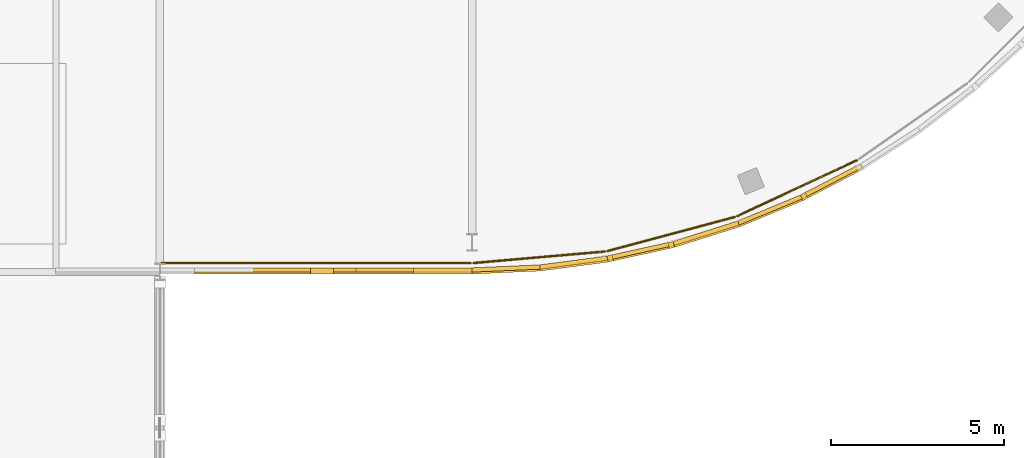
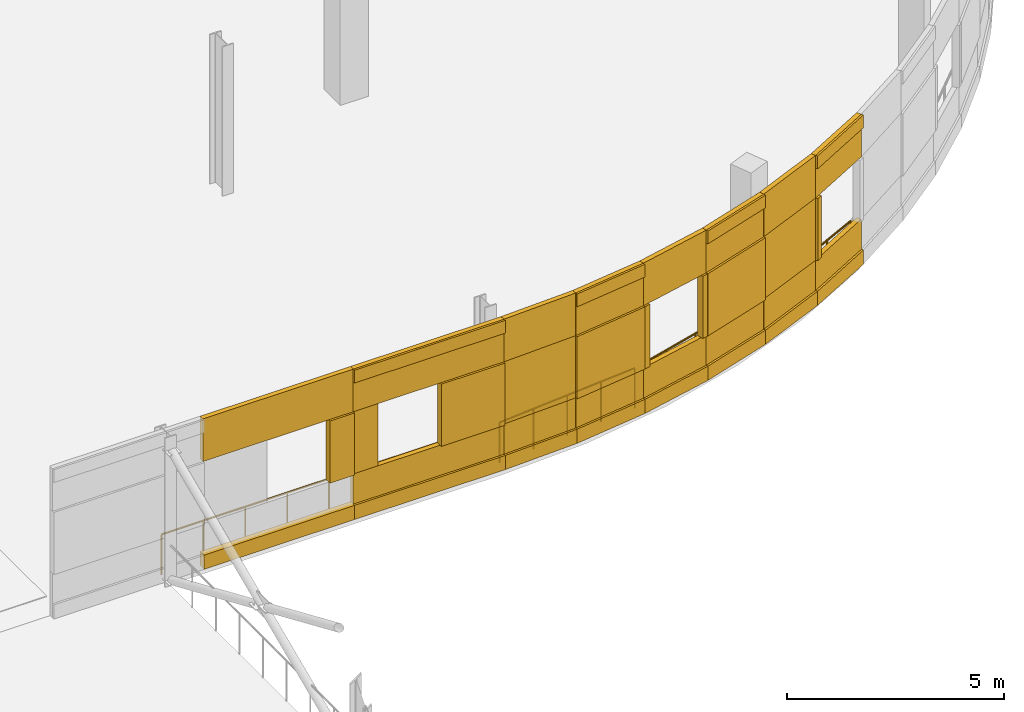
# One storey, part 128 of 135: 37 coverings, 4 railings.
"""IFC4 building model written with IfcOpenShell, lengths in metres."""

from ifc_helpers import new_model, si_unit, direction, frame, origin, origin_2d, place, context, subcontext, project, spatial, rectangle, circle, extrude, material, layer, layer_set, type_object, element, save


model = new_model("IFC4")

# Units and contexts
model_context = context("Model", 3, precision=1e-05, world=origin(), true_north=direction((0.0, 1.0)))
body_context = subcontext(model_context, "Body", "Model", "MODEL_VIEW")
ifc_project = project(units=[si_unit("LENGTHUNIT", "METRE"), si_unit("AREAUNIT", "SQUARE_METRE"), si_unit("VOLUMEUNIT", "CUBIC_METRE"), si_unit("PLANEANGLEUNIT", "RADIAN"), si_unit("MASSUNIT", "GRAM", prefix="KILO")], contexts=[model_context])

# Site, building, storey
site_placement = place(None, origin())
site = spatial("IfcSite", under=ifc_project, at=site_placement, CompositionType="ELEMENT")
building_placement = place(site_placement, origin())
building = spatial("IfcBuilding", under=site, at=building_placement, Name="Deido Ridge Mobility Hub", CompositionType="ELEMENT")
storey_placement = place(building_placement, frame((0.0, 0.0, 4.199951171875)))
storey = spatial("IfcBuildingStorey", under=building, at=storey_placement, Name="L01", CompositionType="ELEMENT", Elevation=4.199951171875)

# Coverings
ifc_material_1 = material(Name="Fired clay brick masonry", Category="masonry")
ifc_layer = layer(ifc_material_1, 0.114990234375, Name="Fired clay brick masonry")
ifc_layer_set = layer_set([ifc_layer], Name="Fired clay brick masonry")
covering_type = type_object("IfcCoveringType", Name="COV-BRK-SCREEN-115", PredefinedType="CLADDING", material=ifc_layer_set)
covering_1_placement = place(storey_placement, frame((117.978271484375, 81.09521484375, 0.0), z_axis=(0.0, 0.0, 1.0), x_axis=(0.999048982732, 0.043601950678, 0.0)))
element("IfcCovering", 1, at=covering_1_placement, inside=storey, type_object=covering_type, Name="Open brickwork spandrel course BKS1 (L01)", PredefinedType="CLADDING", context=body_context, shape_type="SweptSolid", body=[
    extrude(rectangle(XDim=1.9619140625, YDim=0.125, at=origin_2d()), origin(), (0.0, 0.0, 1.0), 1.25),
])
covering_2_placement = place(storey_placement, frame((117.9794921875, 81.067626953125, 0.0), z_axis=(0.0, 0.0, 1.0), x_axis=(0.999048982732, 0.043601950678, 0.0)))
element("IfcCovering", 2, at=covering_2_placement, inside=storey, type_object=covering_type, Name="Raised brick relief belt BKS1 (L01)", PredefinedType="CLADDING", context=body_context, shape_type="SweptSolid", body=[
    extrude(rectangle(XDim=1.9619140625, YDim=0.179931640625, at=origin_2d()), origin(), (0.0, 0.0, 1.0), 0.39990234375),
])
covering_3_placement = place(storey_placement, frame((117.978271484375, 81.09521484375, 3.0), z_axis=(0.0, 0.0, 1.0), x_axis=(0.999048982732, 0.043601950678, 0.0)))
element("IfcCovering", 3, at=covering_3_placement, inside=storey, type_object=covering_type, Name="Open brickwork lintel course BKS1 (L01)", PredefinedType="CLADDING", context=body_context, shape_type="SweptSolid", body=[
    extrude(rectangle(XDim=1.9619140625, YDim=0.125, at=origin_2d()), origin(), (0.0, 0.0, 1.0), 1.199951171875),
])
covering_4_placement = place(storey_placement, frame((117.978271484375, 81.09521484375, 1.25), z_axis=(0.0, 0.0, 1.0), x_axis=(0.999048982732, 0.043601950678, 0.0)))
element("IfcCovering", 4, at=covering_4_placement, inside=storey, type_object=covering_type, Name="Curved raised brickwork pier BKS1 (L01)", PredefinedType="CLADDING", context=body_context, shape_type="SweptSolid", body=[
    extrude(rectangle(XDim=1.9619140625, YDim=0.125, at=origin_2d()), origin(), (0.0, 0.0, 1.0), 1.75),
])
covering_5_placement = place(storey_placement, frame((119.92724609375, 81.265625, 0.0), z_axis=(0.0, 0.0, 1.0), x_axis=(0.991442583111, 0.130543496177, 0.0)))
element("IfcCovering", 5, at=covering_5_placement, inside=storey, type_object=covering_type, Name="Open brickwork spandrel course BKS1 (L01)", PredefinedType="CLADDING", context=body_context, shape_type="SweptSolid", body=[
    extrude(rectangle(XDim=1.9619140625, YDim=0.125, at=origin_2d()), origin(), (0.0, 0.0, 1.0), 1.25),
])
covering_6_placement = place(storey_placement, frame((119.930908203125, 81.23828125, 0.0), z_axis=(0.0, 0.0, 1.0), x_axis=(0.991442583111, 0.130543496177, 0.0)))
element("IfcCovering", 6, at=covering_6_placement, inside=storey, type_object=covering_type, Name="Raised brick relief belt BKS1 (L01)", PredefinedType="CLADDING", context=body_context, shape_type="SweptSolid", body=[
    extrude(rectangle(XDim=1.9619140625, YDim=0.179931640625, at=origin_2d()), origin(), (0.0, 0.0, 1.0), 0.39990234375),
])
covering_7_placement = place(storey_placement, frame((119.92724609375, 81.265625, 3.0), z_axis=(0.0, 0.0, 1.0), x_axis=(0.991442583111, 0.130543496177, 0.0)))
element("IfcCovering", 7, at=covering_7_placement, inside=storey, type_object=covering_type, Name="Open brickwork lintel course BKS1 (L01)", PredefinedType="CLADDING", context=body_context, shape_type="SweptSolid", body=[
    extrude(rectangle(XDim=1.9619140625, YDim=0.125, at=origin_2d()), origin(), (0.0, 0.0, 1.0), 1.199951171875),
])
covering_8_placement = place(storey_placement, frame((119.930908203125, 81.23828125, 3.83984375), z_axis=(0.0, 0.0, 1.0), x_axis=(0.991442583111, 0.130543496177, 0.0)))
element("IfcCovering", 8, at=covering_8_placement, inside=storey, type_object=covering_type, Name="Raised brick relief cornice BKS1 (L01)", PredefinedType="CLADDING", context=body_context, shape_type="SweptSolid", body=[
    extrude(rectangle(XDim=1.9619140625, YDim=0.179931640625, at=origin_2d()), origin(), (0.0, 0.0, 1.0), 0.360107421875),
])
covering_9_placement = place(storey_placement, frame((119.930908203125, 81.23828125, 1.25), z_axis=(0.0, 0.0, 1.0), x_axis=(0.991442583111, 0.130543496177, 0.0)))
element("IfcCovering", 9, at=covering_9_placement, inside=storey, type_object=covering_type, Name="Curved raised brickwork pier BKS1 (L01)", PredefinedType="CLADDING", context=body_context, shape_type="SweptSolid", body=[
    extrude(rectangle(XDim=1.9619140625, YDim=0.179931640625, at=origin_2d()), origin(), (0.0, 0.0, 1.0), 1.75),
])
covering_10_placement = place(storey_placement, frame((121.85400390625, 81.60546875, 0.0), z_axis=(0.0, 0.0, 1.0), x_axis=(0.976292229387, 0.216456653485, 0.0)))
element("IfcCovering", 10, at=covering_10_placement, inside=storey, type_object=covering_type, Name="Open brickwork spandrel course BKS1 (L01)", PredefinedType="CLADDING", context=body_context, shape_type="SweptSolid", body=[
    extrude(rectangle(XDim=1.9619140625, YDim=0.125, at=origin_2d()), origin(), (0.0, 0.0, 1.0), 1.25),
])
covering_11_placement = place(storey_placement, frame((121.85986328125, 81.57861328125, 0.0), z_axis=(0.0, 0.0, 1.0), x_axis=(0.976292229387, 0.216456653485, 0.0)))
element("IfcCovering", 11, at=covering_11_placement, inside=storey, type_object=covering_type, Name="Raised brick relief belt BKS1 (L01)", PredefinedType="CLADDING", context=body_context, shape_type="SweptSolid", body=[
    extrude(rectangle(XDim=1.9619140625, YDim=0.179931640625, at=origin_2d()), origin(), (0.0, 0.0, 1.0), 0.39990234375),
])
covering_12_placement = place(storey_placement, frame((121.85400390625, 81.60546875, 3.0), z_axis=(0.0, 0.0, 1.0), x_axis=(0.976292229387, 0.216456653485, 0.0)))
element("IfcCovering", 12, at=covering_12_placement, inside=storey, type_object=covering_type, Name="Open brickwork lintel course BKS1 (L01)", PredefinedType="CLADDING", context=body_context, shape_type="SweptSolid", body=[
    extrude(rectangle(XDim=1.9619140625, YDim=0.125, at=origin_2d()), origin(), (0.0, 0.0, 1.0), 1.199951171875),
])
for number, where, z_axis, x_axis, name in (
    (13, (120.980224609375, 81.383544921875, 1.25), (0.0, 0.0, 1.0), (0.976292229387, 0.216456653485, 0.0), "Curved brick jamb nib BKS1 (L01)"),
    (14, (122.739501953125, 81.773681640625, 1.25), (0.0, 0.0, 1.0), (0.976292229387, 0.216456653485, 0.0), "Curved brick jamb nib BKS1 (L01)"),
):
    element("IfcCovering", number, at=place(storey_placement, frame(where, z_axis=z_axis, x_axis=x_axis)), inside=storey, type_object=covering_type, Name=name, PredefinedType="CLADDING", context=body_context, shape_type="SweptSolid", body=[
        extrude(rectangle(XDim=0.152099609375, YDim=0.179931640625, at=origin_2d()), origin(), (0.0, 0.0, 1.0), 1.75),
    ])
covering_13_placement = place(storey_placement, frame((123.74365234375, 82.11181640625, 0.0), z_axis=(0.0, 0.0, 1.0), x_axis=(0.95372744678, 0.300672508319, 0.0)))
element("IfcCovering", 15, at=covering_13_placement, inside=storey, type_object=covering_type, Name="Open brickwork spandrel course BKS1 (L01)", PredefinedType="CLADDING", context=body_context, shape_type="SweptSolid", body=[
    extrude(rectangle(XDim=1.9619140625, YDim=0.125, at=origin_2d()), origin(), (0.0, 0.0, 1.0), 1.25),
])
covering_14_placement = place(storey_placement, frame((123.751953125, 82.085693359375, 0.0), z_axis=(0.0, 0.0, 1.0), x_axis=(0.95372744678, 0.300672508319, 0.0)))
element("IfcCovering", 16, at=covering_14_placement, inside=storey, type_object=covering_type, Name="Raised brick relief belt BKS1 (L01)", PredefinedType="CLADDING", context=body_context, shape_type="SweptSolid", body=[
    extrude(rectangle(XDim=1.9619140625, YDim=0.179931640625, at=origin_2d()), origin(), (0.0, 0.0, 1.0), 0.39990234375),
])
covering_15_placement = place(storey_placement, frame((123.74365234375, 82.11181640625, 3.0), z_axis=(0.0, 0.0, 1.0), x_axis=(0.95372744678, 0.300672508319, 0.0)))
element("IfcCovering", 17, at=covering_15_placement, inside=storey, type_object=covering_type, Name="Open brickwork lintel course BKS1 (L01)", PredefinedType="CLADDING", context=body_context, shape_type="SweptSolid", body=[
    extrude(rectangle(XDim=1.9619140625, YDim=0.125, at=origin_2d()), origin(), (0.0, 0.0, 1.0), 1.199951171875),
])
covering_16_placement = place(storey_placement, frame((123.751953125, 82.085693359375, 3.83984375), z_axis=(0.0, 0.0, 1.0), x_axis=(0.95372744678, 0.300672508319, 0.0)))
element("IfcCovering", 18, at=covering_16_placement, inside=storey, type_object=covering_type, Name="Raised brick relief cornice BKS1 (L01)", PredefinedType="CLADDING", context=body_context, shape_type="SweptSolid", body=[
    extrude(rectangle(XDim=1.9619140625, YDim=0.179931640625, at=origin_2d()), origin(), (0.0, 0.0, 1.0), 0.360107421875),
])
covering_17_placement = place(storey_placement, frame((123.751953125, 82.085693359375, 1.25), z_axis=(0.0, 0.0, 1.0), x_axis=(0.95372744678, 0.300672508319, 0.0)))
element("IfcCovering", 19, at=covering_17_placement, inside=storey, type_object=covering_type, Name="Curved raised brickwork pier BKS1 (L01)", PredefinedType="CLADDING", context=body_context, shape_type="SweptSolid", body=[
    extrude(rectangle(XDim=1.9619140625, YDim=0.179931640625, at=origin_2d()), origin(), (0.0, 0.0, 1.0), 1.75),
])
covering_18_placement = place(storey_placement, frame((125.58203125, 82.781005859375, 0.0), z_axis=(0.0, 0.0, 1.0), x_axis=(0.923872853285, 0.382699557047, 0.0)))
element("IfcCovering", 20, at=covering_18_placement, inside=storey, type_object=covering_type, Name="Open brickwork spandrel course BKS1 (L01)", PredefinedType="CLADDING", context=body_context, shape_type="SweptSolid", body=[
    extrude(rectangle(XDim=1.9619140625, YDim=0.125, at=origin_2d()), origin(), (0.0, 0.0, 1.0), 1.25),
])
covering_19_placement = place(storey_placement, frame((125.5927734375, 82.755615234375, 0.0), z_axis=(0.0, 0.0, 1.0), x_axis=(0.923872853285, 0.382699557047, 0.0)))
element("IfcCovering", 21, at=covering_19_placement, inside=storey, type_object=covering_type, Name="Raised brick relief belt BKS1 (L01)", PredefinedType="CLADDING", context=body_context, shape_type="SweptSolid", body=[
    extrude(rectangle(XDim=1.9619140625, YDim=0.179931640625, at=origin_2d()), origin(), (0.0, 0.0, 1.0), 0.39990234375),
])
covering_20_placement = place(storey_placement, frame((125.58203125, 82.781005859375, 3.0), z_axis=(0.0, 0.0, 1.0), x_axis=(0.923872853285, 0.382699557047, 0.0)))
element("IfcCovering", 22, at=covering_20_placement, inside=storey, type_object=covering_type, Name="Open brickwork lintel course BKS1 (L01)", PredefinedType="CLADDING", context=body_context, shape_type="SweptSolid", body=[
    extrude(rectangle(XDim=1.9619140625, YDim=0.125, at=origin_2d()), origin(), (0.0, 0.0, 1.0), 1.199951171875),
])
covering_21_placement = place(storey_placement, frame((125.58203125, 82.781005859375, 1.25), z_axis=(0.0, 0.0, 1.0), x_axis=(0.923872853285, 0.382699557047, 0.0)))
element("IfcCovering", 23, at=covering_21_placement, inside=storey, type_object=covering_type, Name="Curved raised brickwork pier BKS1 (L01)", PredefinedType="CLADDING", context=body_context, shape_type="SweptSolid", body=[
    extrude(rectangle(XDim=1.9619140625, YDim=0.125, at=origin_2d()), origin(), (0.0, 0.0, 1.0), 1.75),
])
covering_22_placement = place(storey_placement, frame((127.355224609375, 83.607666015625, 0.0), z_axis=(0.0, 0.0, 1.0), x_axis=(0.887018892077, 0.461733131905, 0.0)))
element("IfcCovering", 24, at=covering_22_placement, inside=storey, type_object=covering_type, Name="Open brickwork spandrel course BKS1 (L01)", PredefinedType="CLADDING", context=body_context, shape_type="SweptSolid", body=[
    extrude(rectangle(XDim=1.9619140625, YDim=0.125, at=origin_2d()), origin(), (0.0, 0.0, 1.0), 1.25),
])
covering_23_placement = place(storey_placement, frame((127.367919921875, 83.583251953125, 0.0), z_axis=(0.0, 0.0, 1.0), x_axis=(0.887018892077, 0.461733131905, 0.0)))
element("IfcCovering", 25, at=covering_23_placement, inside=storey, type_object=covering_type, Name="Raised brick relief belt BKS1 (L01)", PredefinedType="CLADDING", context=body_context, shape_type="SweptSolid", body=[
    extrude(rectangle(XDim=1.9619140625, YDim=0.179931640625, at=origin_2d()), origin(), (0.0, 0.0, 1.0), 0.39990234375),
])
covering_24_placement = place(storey_placement, frame((127.355224609375, 83.607666015625, 3.0), z_axis=(0.0, 0.0, 1.0), x_axis=(0.887018892077, 0.461733131905, 0.0)))
element("IfcCovering", 26, at=covering_24_placement, inside=storey, type_object=covering_type, Name="Open brickwork lintel course BKS1 (L01)", PredefinedType="CLADDING", context=body_context, shape_type="SweptSolid", body=[
    extrude(rectangle(XDim=1.9619140625, YDim=0.125, at=origin_2d()), origin(), (0.0, 0.0, 1.0), 1.199951171875),
])
covering_25_placement = place(storey_placement, frame((127.367919921875, 83.583251953125, 3.83984375), z_axis=(0.0, 0.0, 1.0), x_axis=(0.887018892077, 0.461733131905, 0.0)))
element("IfcCovering", 27, at=covering_25_placement, inside=storey, type_object=covering_type, Name="Raised brick relief cornice BKS1 (L01)", PredefinedType="CLADDING", context=body_context, shape_type="SweptSolid", body=[
    extrude(rectangle(XDim=1.9619140625, YDim=0.179931640625, at=origin_2d()), origin(), (0.0, 0.0, 1.0), 0.360107421875),
])
covering_26_placement = place(storey_placement, frame((126.568603515625, 83.167236328125, 1.25), z_axis=(0.0, 0.0, 1.0), x_axis=(0.887018892077, 0.461733131905, 0.0)))
element("IfcCovering", 28, at=covering_26_placement, inside=storey, type_object=covering_type, Name="Curved brick jamb nib BKS1 (L01)", PredefinedType="CLADDING", context=body_context, shape_type="SweptSolid", body=[
    extrude(rectangle(XDim=0.152099609375, YDim=0.179931640625, at=origin_2d()), origin(), (0.0, 0.0, 1.0), 1.75),
])
covering_27_placement = place(storey_placement, frame((111.0, 81.02490234375, 0.0), z_axis=(0.0, 0.0, 1.0), x_axis=(1.0, 0.0, 0.0)))
element("IfcCovering", 29, at=covering_27_placement, inside=storey, type_object=covering_type, Name="Raised brick relief belt BKS1 (L01)", PredefinedType="CLADDING", context=body_context, shape_type="SweptSolid", body=[
    extrude(rectangle(XDim=4.01611328125, YDim=0.179931640625, at=origin_2d()), origin(), (0.0, 0.0, 1.0), 0.39990234375),
])
covering_28_placement = place(storey_placement, frame((111.0, 81.052490234375, 3.0), z_axis=(0.0, 0.0, 1.0), x_axis=(1.0, 0.0, 0.0)))
element("IfcCovering", 30, at=covering_28_placement, inside=storey, type_object=covering_type, Name="Open brickwork lintel course BKS1 (L01)", PredefinedType="CLADDING", context=body_context, shape_type="SweptSolid", body=[
    extrude(rectangle(XDim=4.01611328125, YDim=0.125, at=origin_2d()), origin(), (0.0, 0.0, 1.0), 1.199951171875),
])
covering_29_placement = place(storey_placement, frame((112.672607421875, 81.02490234375, 1.25), z_axis=(0.0, 0.0, 1.0), x_axis=(1.0, 0.0, 0.0)))
element("IfcCovering", 31, at=covering_29_placement, inside=storey, type_object=covering_type, Name="Open brickwork pier BKS1 (L01)", PredefinedType="CLADDING", context=body_context, shape_type="SweptSolid", body=[
    extrude(rectangle(XDim=0.655029296875, YDim=0.179931640625, at=origin_2d()), origin(), (0.0, 0.0, 1.0), 1.75),
])
covering_30_placement = place(storey_placement, frame((115.0, 81.052490234375, 0.0), z_axis=(0.0, 0.0, 1.0), x_axis=(1.0, 0.0, 0.0)))
element("IfcCovering", 32, at=covering_30_placement, inside=storey, type_object=covering_type, Name="Open brickwork spandrel course BKS1 (L01)", PredefinedType="CLADDING", context=body_context, shape_type="SweptSolid", body=[
    extrude(rectangle(XDim=4.01611328125, YDim=0.125, at=origin_2d()), origin(), (0.0, 0.0, 1.0), 1.25),
])
covering_31_placement = place(storey_placement, frame((115.0, 81.02490234375, 0.0), z_axis=(0.0, 0.0, 1.0), x_axis=(1.0, 0.0, 0.0)))
element("IfcCovering", 33, at=covering_31_placement, inside=storey, type_object=covering_type, Name="Raised brick relief belt BKS1 (L01)", PredefinedType="CLADDING", context=body_context, shape_type="SweptSolid", body=[
    extrude(rectangle(XDim=4.01611328125, YDim=0.179931640625, at=origin_2d()), origin(), (0.0, 0.0, 1.0), 0.39990234375),
])
covering_32_placement = place(storey_placement, frame((115.0, 81.052490234375, 3.0), z_axis=(0.0, 0.0, 1.0), x_axis=(1.0, 0.0, 0.0)))
element("IfcCovering", 34, at=covering_32_placement, inside=storey, type_object=covering_type, Name="Open brickwork lintel course BKS1 (L01)", PredefinedType="CLADDING", context=body_context, shape_type="SweptSolid", body=[
    extrude(rectangle(XDim=4.01611328125, YDim=0.125, at=origin_2d()), origin(), (0.0, 0.0, 1.0), 1.199951171875),
])
covering_33_placement = place(storey_placement, frame((115.0, 81.02490234375, 3.83984375), z_axis=(0.0, 0.0, 1.0), x_axis=(1.0, 0.0, 0.0)))
element("IfcCovering", 35, at=covering_33_placement, inside=storey, type_object=covering_type, Name="Raised brick relief cornice BKS1 (L01)", PredefinedType="CLADDING", context=body_context, shape_type="SweptSolid", body=[
    extrude(rectangle(XDim=4.01611328125, YDim=0.179931640625, at=origin_2d()), origin(), (0.0, 0.0, 1.0), 0.360107421875),
])
covering_34_placement = place(storey_placement, frame((113.327392578125, 81.052490234375, 1.25), z_axis=(0.0, 0.0, 1.0), x_axis=(1.0, 0.0, 0.0)))
element("IfcCovering", 36, at=covering_34_placement, inside=storey, type_object=covering_type, Name="Open brickwork pier BKS1 (L01)", PredefinedType="CLADDING", context=body_context, shape_type="SweptSolid", body=[
    extrude(rectangle(XDim=0.655029296875, YDim=0.125, at=origin_2d()), origin(), (0.0, 0.0, 1.0), 1.75),
])
covering_35_placement = place(storey_placement, frame((116.152587890625, 81.02490234375, 1.25), z_axis=(0.0, 0.0, 1.0), x_axis=(1.0, 0.0, 0.0)))
element("IfcCovering", 37, at=covering_35_placement, inside=storey, type_object=covering_type, Name="Open brickwork pier BKS1 (L01)", PredefinedType="CLADDING", context=body_context, shape_type="SweptSolid", body=[
    extrude(rectangle(XDim=1.695068359375, YDim=0.179931640625, at=origin_2d()), origin(), (0.0, 0.0, 1.0), 1.75),
])

# Railings
ifc_material_2 = material(Name="Galvanised steel work", Category="steel")
railing_type = type_object("IfcRailingType", Name="RL-GRD-EXT-1150", PredefinedType="GUARDRAIL", material=ifc_material_2)
railing_1_placement = place(storey_placement, frame((117.039794921875, 81.25341796875, 0.0)))
element("IfcRailing", 38, at=railing_1_placement, inside=storey, type_object=railing_type, Name="Parking drum perimeter guard (L01)", PredefinedType="GUARDRAIL", context=body_context, shape_type="SweptSolid", body=[
    extrude(circle(Radius=0.02392578125, at=origin_2d()), frame((0.0, 0.0, 1.1259765625), z_axis=(0.996195112607, 0.08715100469, 0.0), x_axis=(-0.08715100469, 0.996195112607, 0.0)), (0.0, 0.0, 1.0), 3.798583984375),
    extrude(circle(Radius=0.02099609375, at=origin_2d()), origin(), (0.0, 0.0, 1.0), 1.101806640625),
    extrude(circle(Radius=0.02099609375, at=origin_2d()), frame((0.946044921875, 0.082763671875, 0.0)), (0.0, 0.0, 1.0), 1.101806640625),
    extrude(circle(Radius=0.02099609375, at=origin_2d()), frame((1.89208984375, 0.16552734375, 0.0)), (0.0, 0.0, 1.0), 1.101806640625),
    extrude(circle(Radius=0.02099609375, at=origin_2d()), frame((2.838134765625, 0.248291015625, 0.0)), (0.0, 0.0, 1.0), 1.101806640625),
    extrude(circle(Radius=0.02099609375, at=origin_2d()), frame((3.7841796875, 0.3310546875, 0.0)), (0.0, 0.0, 1.0), 1.101806640625),
])
railing_2_placement = place(storey_placement, frame((120.90234375, 81.598388671875, 0.0)))
element("IfcRailing", 39, at=railing_2_placement, inside=storey, type_object=railing_type, Name="Parking drum perimeter guard (L01)", PredefinedType="GUARDRAIL", context=body_context, shape_type="SweptSolid", body=[
    extrude(circle(Radius=0.02392578125, at=origin_2d()), frame((0.0, 0.0, 1.1259765625), z_axis=(0.965937723757, 0.258774639064, 0.0), x_axis=(-0.258774639064, 0.965937723757, 0.0)), (0.0, 0.0, 1.0), 3.79833984375),
    extrude(circle(Radius=0.02099609375, at=origin_2d()), origin(), (0.0, 0.0, 1.0), 1.101806640625),
    extrude(circle(Radius=0.02099609375, at=origin_2d()), frame((0.917236328125, 0.24560546875, 0.0)), (0.0, 0.0, 1.0), 1.101806640625),
    extrude(circle(Radius=0.02099609375, at=origin_2d()), frame((1.83447265625, 0.491455078125, 0.0)), (0.0, 0.0, 1.0), 1.101806640625),
    extrude(circle(Radius=0.02099609375, at=origin_2d()), frame((2.751708984375, 0.7373046875, 0.0)), (0.0, 0.0, 1.0), 1.101806640625),
    extrude(circle(Radius=0.02099609375, at=origin_2d()), frame((3.6689453125, 0.98291015625, 0.0)), (0.0, 0.0, 1.0), 1.101806640625),
])
railing_3_placement = place(storey_placement, frame((124.646240234375, 82.608642578125, 0.0)))
element("IfcRailing", 40, at=railing_3_placement, inside=storey, type_object=railing_type, Name="Parking drum perimeter guard (L01)", PredefinedType="GUARDRAIL", context=body_context, shape_type="SweptSolid", body=[
    extrude(circle(Radius=0.02392578125, at=origin_2d()), frame((0.0, 0.0, 1.1259765625), z_axis=(0.906281639574, 0.422674330627, 0.0), x_axis=(-0.422674330627, 0.906281639574, 0.0)), (0.0, 0.0, 1.0), 3.79833984375),
    extrude(circle(Radius=0.02099609375, at=origin_2d()), origin(), (0.0, 0.0, 1.0), 1.101806640625),
    extrude(circle(Radius=0.02099609375, at=origin_2d()), frame((0.860595703125, 0.4013671875, 0.0)), (0.0, 0.0, 1.0), 1.101806640625),
    extrude(circle(Radius=0.02099609375, at=origin_2d()), frame((1.72119140625, 0.802734375, 0.0)), (0.0, 0.0, 1.0), 1.101806640625),
    extrude(circle(Radius=0.02099609375, at=origin_2d()), frame((2.581787109375, 1.2041015625, 0.0)), (0.0, 0.0, 1.0), 1.101806640625),
    extrude(circle(Radius=0.02099609375, at=origin_2d()), frame((3.4423828125, 1.60546875, 0.0)), (0.0, 0.0, 1.0), 1.101806640625),
])
railing_4_placement = place(storey_placement, frame((108.0400390625, 81.25, 0.0)))
element("IfcRailing", 41, at=railing_4_placement, inside=storey, type_object=railing_type, Name="Parking drum perimeter guard (L01)", PredefinedType="GUARDRAIL", context=body_context, shape_type="SweptSolid", body=[
    extrude(circle(Radius=0.02392578125, at=origin_2d()), frame((0.0, 0.0, 1.1259765625), z_axis=(1.0, 0.0, 0.0), x_axis=(0.0, 1.0, 0.0)), (0.0, 0.0, 1.0), 8.919921875),
    extrude(circle(Radius=0.02099609375, at=origin_2d()), origin(), (0.0, 0.0, 1.0), 1.101806640625),
    extrude(circle(Radius=0.02099609375, at=origin_2d()), frame((1.114990234375, 0.0, 0.0)), (0.0, 0.0, 1.0), 1.101806640625),
    extrude(circle(Radius=0.02099609375, at=origin_2d()), frame((2.22998046875, 0.0, 0.0)), (0.0, 0.0, 1.0), 1.101806640625),
    extrude(circle(Radius=0.02099609375, at=origin_2d()), frame((3.344970703125, 0.0, 0.0)), (0.0, 0.0, 1.0), 1.101806640625),
    extrude(circle(Radius=0.02099609375, at=origin_2d()), frame((4.4599609375, 0.0, 0.0)), (0.0, 0.0, 1.0), 1.101806640625),
    extrude(circle(Radius=0.02099609375, at=origin_2d()), frame((5.574951171875, 0.0, 0.0)), (0.0, 0.0, 1.0), 1.101806640625),
    extrude(circle(Radius=0.02099609375, at=origin_2d()), frame((6.68994140625, 0.0, 0.0)), (0.0, 0.0, 1.0), 1.101806640625),
    extrude(circle(Radius=0.02099609375, at=origin_2d()), frame((7.804931640625, 0.0, 0.0)), (0.0, 0.0, 1.0), 1.101806640625),
    extrude(circle(Radius=0.02099609375, at=origin_2d()), frame((8.919921875, 0.0, 0.0)), (0.0, 0.0, 1.0), 1.101806640625),
])

save(model, "model.ifc")
